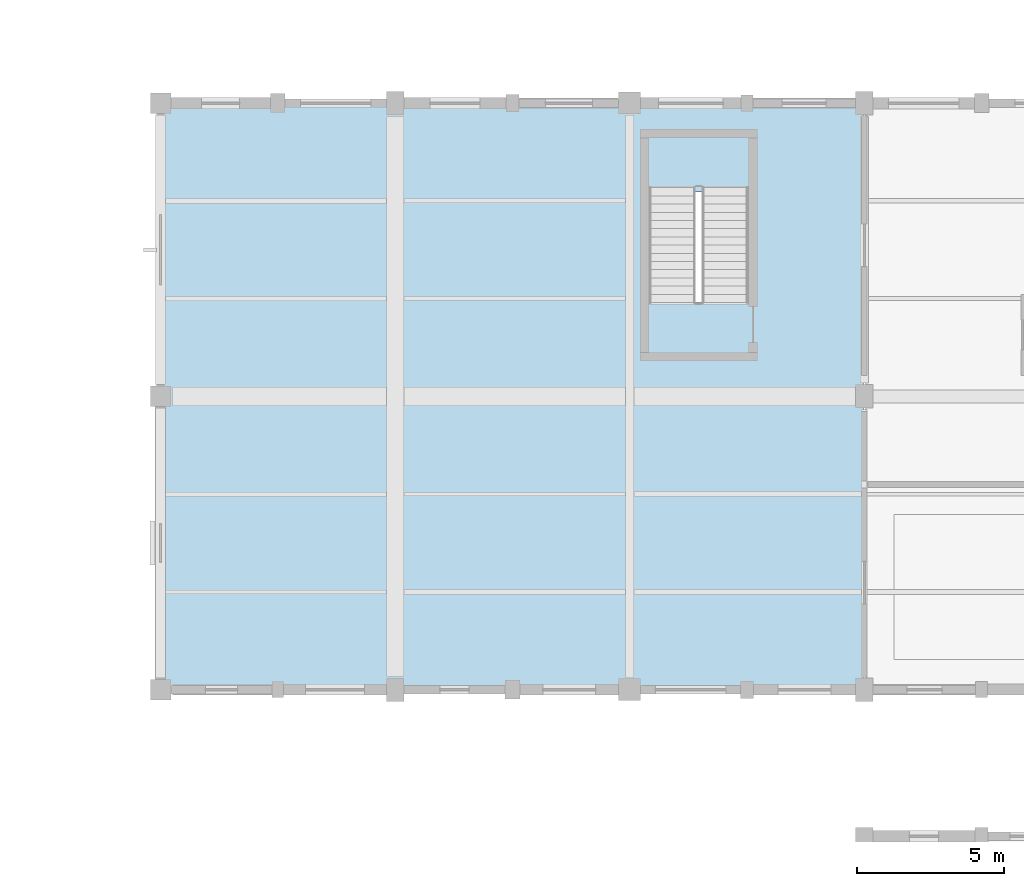
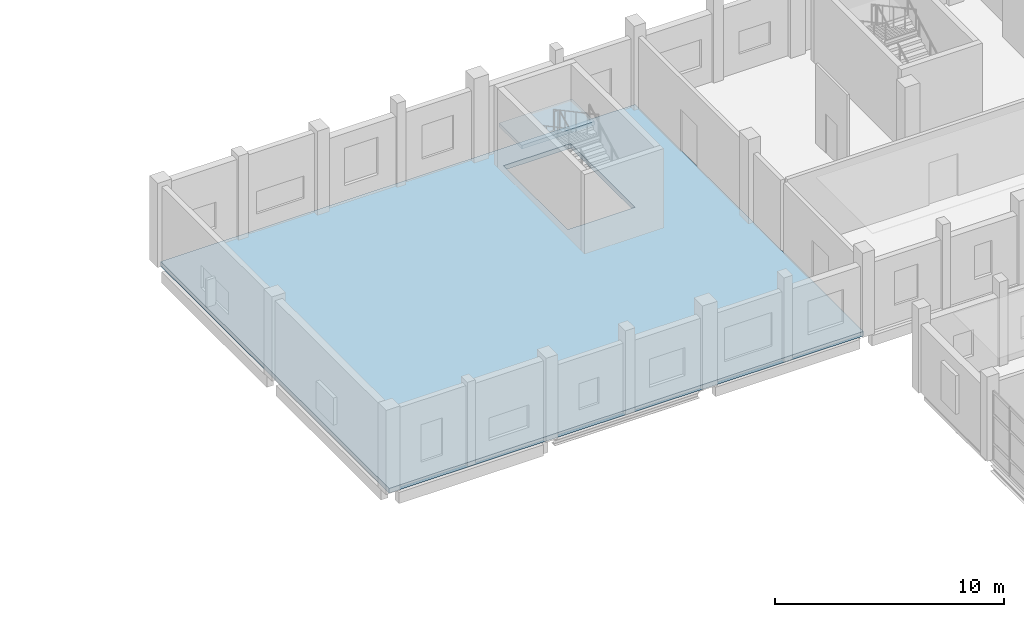
# One storey, part 124 of 183: 2 slabs, 1 element without a shape of its own.
"""IFC4 building model written with IfcOpenShell, lengths in metres."""

from ifc_helpers import new_model, si_unit, direction, frame, origin, place, context, subcontext, project, spatial, polyline, outline, extrude, material, layer, layer_set, type_object, element, aggregate, save


model = new_model("IFC4")

# Units and contexts
model_context = context("Model", 3, precision=1e-05, world=origin(), true_north=direction((0.0, 1.0)))
body_context = subcontext(model_context, "Body", "Model", "MODEL_VIEW")
ifc_project = project(units=[si_unit("LENGTHUNIT", "METRE"), si_unit("AREAUNIT", "SQUARE_METRE"), si_unit("VOLUMEUNIT", "CUBIC_METRE"), si_unit("PLANEANGLEUNIT", "RADIAN"), si_unit("MASSUNIT", "GRAM", prefix="KILO")], contexts=[model_context])

# Site, building, storey
site_placement = place(None, origin())
site = spatial("IfcSite", under=ifc_project, at=site_placement, CompositionType="ELEMENT")
building_placement = place(site_placement, origin())
building = spatial("IfcBuilding", under=site, at=building_placement, Name="Luwemba Playhouse", CompositionType="ELEMENT")
storey_placement = place(building_placement, frame((0.0, 0.0, 4.800048828125)))
storey = spatial("IfcBuildingStorey", under=building, at=storey_placement, Name="L01", CompositionType="ELEMENT", Elevation=4.800048828125)

# Slab
ifc_material = material(Name="Concrete C40/50", Category="concrete")
ifc_layer_1 = layer(ifc_material, 0.25)
ifc_layer_set_1 = layer_set([ifc_layer_1], Name="Concrete C40/50")
slab_type_1 = type_object("IfcSlabType", Name="SLB-FLR-250", PredefinedType="FLOOR", material=ifc_layer_set_1)
slab_1_placement = place(storey_placement, frame((0.0, 0.0, -0.25)))
element("IfcSlab", 1, at=slab_1_placement, inside=storey, type_object=slab_type_1, Name="L01 V6E structural floor slab-MJ", PredefinedType="FLOOR", context=body_context, shape_type="SweptSolid", body=[
    extrude(outline(polyline([(131.969970703125, 115.0), (131.969970703125, 95.0), (108.0, 95.0), (108.0, 115.0), (131.969970703125, 115.0)]), holes=[polyline([(128.050048828125, 108.199951171875), (128.050048828125, 113.820068359375), (124.64990234375, 113.820068359375), (124.64990234375, 108.199951171875), (128.050048828125, 108.199951171875)])]), origin(), (0.0, 0.0, 1.0), 0.25),
])

# Stair, slab
stair_type = type_object("IfcStairType", Name="STR-DL-06", PredefinedType="HALF_TURN_STAIR", material=ifc_material)
stair_placement = place(storey_placement, origin())
stair = element("IfcStair", 2, at=stair_placement, inside=storey, type_object=stair_type, Name="L01 Conservatory West Escape Stair", PredefinedType="HALF_TURN_STAIR")
ifc_layer_2 = layer(ifc_material, 0.215087890625)
ifc_layer_set_2 = layer_set([ifc_layer_2], Name="Concrete C40/50")
slab_type_2 = type_object("IfcSlabType", Name="SLB-LND-215", PredefinedType="LANDING", material=ifc_layer_set_2)
slab_2_placement = place(storey_placement, frame((0.0, 0.0, 2.050048828125)))
slab_2 = element("IfcSlab", 3, at=slab_2_placement, type_object=slab_type_2, Name="ST-16 landing 1", PredefinedType="LANDING", context=body_context, shape_type="SweptSolid", body=[
    extrude(outline(polyline([(128.18994140625, 111.97998046875), (124.510009765625, 111.97998046875), (124.510009765625, 113.9599609375), (128.18994140625, 113.9599609375), (128.18994140625, 111.97998046875)])), origin(), (0.0, 0.0, 1.0), 0.199951171875),
])
aggregate(stair, [slab_2])

save(model, "model.ifc")
